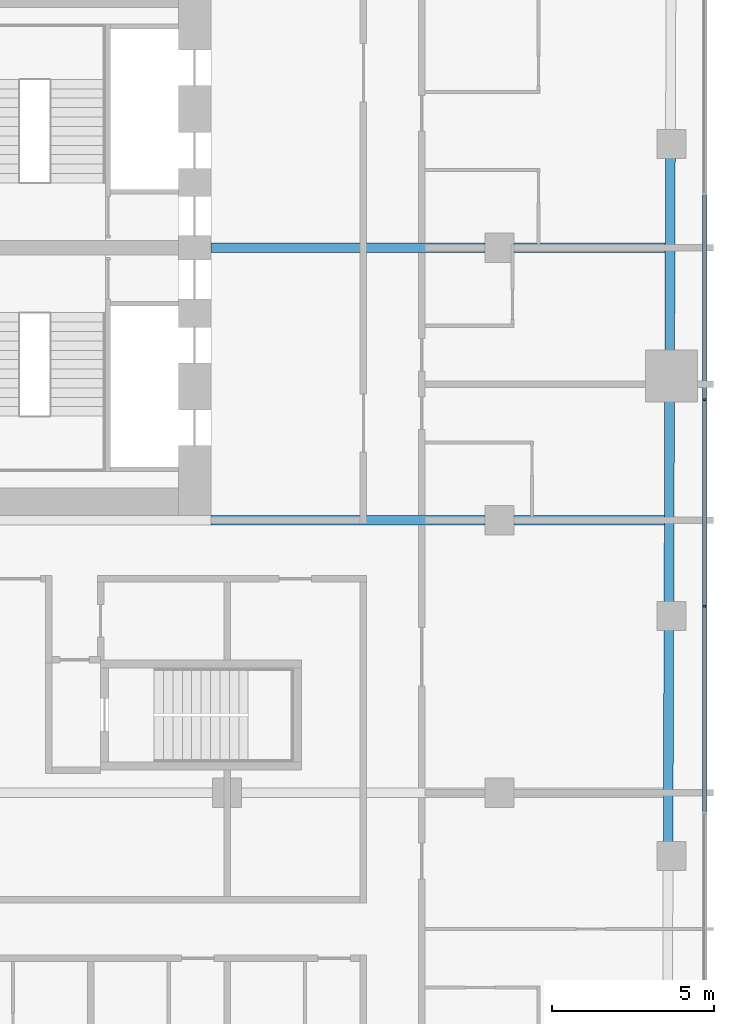
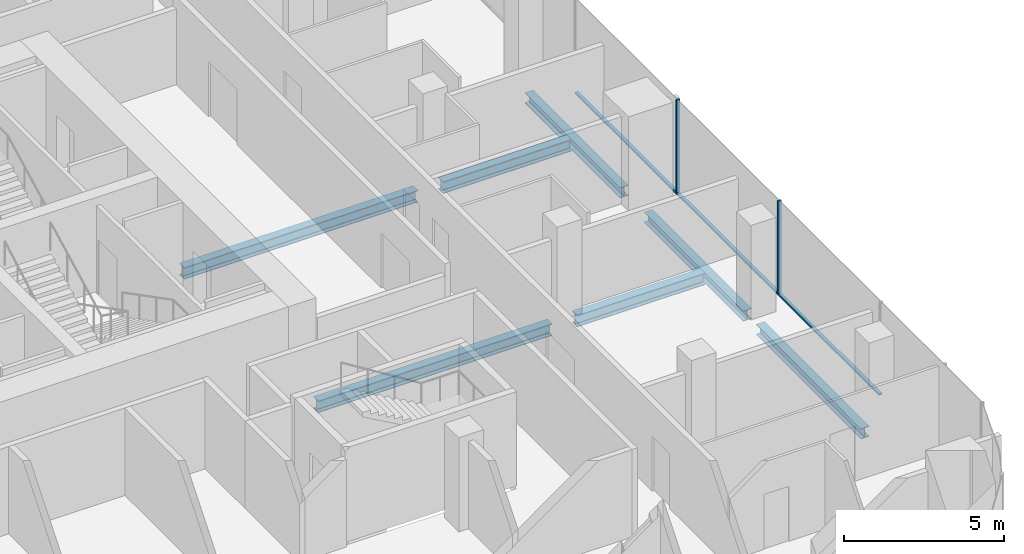
# One storey, part 7 of 23: 7 beams, 5 members, 1 element without a shape of its own.
"""IFC4 building model written with IfcOpenShell, lengths in metres."""

import ifcopenshell
import ifcopenshell.guid

model = None  # the IFC model being written
_history = None  # IfcOwnerHistory: only IFC2X3 demands one
_inside = {}  # id of a spatial element -> (the spatial element, [elements in it])
_under = {}  # id of a project, library or spatial element -> (it, [spatial elements below it])
_declared = {}  # id of a project -> (the project, [libraries it declares])
_typed = {}  # id of a type object -> (the type object, [elements of that type])
_made_of = {}  # id of a material, layer set ... -> (it, [elements and type objects made of it])


def new_model(schema):
    """Start an empty IFC model of exactly this schema.

    Asked for "IFC4X3", IfcOpenShell would pick the latest addendum, in which some entities
    have other attributes; the version numbers below select the first issue.
    IFC2X3 requires an IfcOwnerHistory on every rooted entity: one is made here for all.
    """
    global model, _history
    if schema == "IFC4X3":
        model = ifcopenshell.file(schema_version=(4, 3, 0, 0))
    else:
        model = ifcopenshell.file(schema=schema)
    _inside.clear()
    _under.clear()
    _declared.clear()
    _typed.clear()
    _made_of.clear()
    _history = None
    if model.schema == "IFC2X3":
        org = make("IfcOrganization", Name="unknown")
        user = make(
            "IfcPersonAndOrganization",
            ThePerson=make("IfcPerson", FamilyName="unknown"),
            TheOrganization=org,
        )
        app = make(
            "IfcApplication",
            ApplicationDeveloper=org,
            Version="unknown",
            ApplicationFullName="unknown",
            ApplicationIdentifier="unknown",
        )
        _history = make(
            "IfcOwnerHistory",
            OwningUser=user,
            OwningApplication=app,
            ChangeAction="ADDED",
            CreationDate=0,
        )
    return model


def make(cls, **values):
    """One entity of the class cls with the attributes given. An attribute that is None is left unset."""
    return model.create_entity(
        cls, **{name: value for name, value in values.items() if value is not None}
    )


def rooted(cls, **values):
    """An entity with a GlobalId (a new one), such as an element, a storey or a relation."""
    return make(cls, GlobalId=ifcopenshell.guid.new(), OwnerHistory=_history, **values)


def si_unit(unit_type, name, prefix=None):
    """IfcSIUnit, for example si_unit("LENGTHUNIT", "METRE", prefix="MILLI")."""
    return make("IfcSIUnit", UnitType=unit_type, Prefix=prefix, Name=name)


def assignment(units):
    """IfcUnitAssignment: the units of a project."""
    return None if units is None else make("IfcUnitAssignment", Units=units)


def point(xyz):
    """IfcCartesianPoint."""
    return None if xyz is None else make("IfcCartesianPoint", Coordinates=xyz)


def direction(xyz):
    """IfcDirection."""
    return None if xyz is None else make("IfcDirection", DirectionRatios=xyz)


def frame(location, z_axis=None, x_axis=None):
    """IfcAxis2Placement3D, a coordinate frame: its origin and axes. An axis left out is left unset."""
    return make(
        "IfcAxis2Placement3D",
        Location=point(location),
        Axis=direction(z_axis),
        RefDirection=direction(x_axis),
    )


def frame_2d(location, x_axis=None):
    """IfcAxis2Placement2D, a coordinate frame in the plane: its origin and x axis."""
    return make(
        "IfcAxis2Placement2D", Location=point(location), RefDirection=direction(x_axis)
    )


def origin():
    """The frame at (0, 0, 0) with its axes left unset."""
    return frame((0.0, 0.0, 0.0))


def origin_2d():
    """The frame at (0, 0) in the plane with its x axis left unset."""
    return frame_2d((0.0, 0.0))


def place(relative_to, where):
    """IfcLocalPlacement: puts the frame where relative to a parent placement (None: the world)."""
    return make(
        "IfcLocalPlacement", PlacementRelTo=relative_to, RelativePlacement=where
    )


def context(
    kind, dimensions, precision=None, world=None, true_north=None, identifier=None
):
    """IfcGeometricRepresentationContext, for example the 3D "Model" context."""
    return make(
        "IfcGeometricRepresentationContext",
        ContextIdentifier=identifier,
        ContextType=kind,
        CoordinateSpaceDimension=dimensions,
        Precision=precision,
        WorldCoordinateSystem=world,
        TrueNorth=true_north,
    )


def subcontext(parent, identifier, kind, view, scale=None):
    """IfcGeometricRepresentationSubContext, for example "Body" below "Model"."""
    return make(
        "IfcGeometricRepresentationSubContext",
        ContextIdentifier=identifier,
        ContextType=kind,
        ParentContext=parent,
        TargetScale=scale,
        TargetView=view,
    )


def project(units=None, contexts=None):
    """IfcProject with its units and contexts."""
    return rooted(
        "IfcProject",
        Name="project",
        RepresentationContexts=contexts,
        UnitsInContext=assignment(units),
    )


def spatial(cls, under=None, at=None, **own):
    """A site, building, storey or space (cls), placed at a placement, below another one or the project."""
    s = rooted(cls, ObjectPlacement=at, **own)
    if under is not None:
        _under.setdefault(under.id(), (under, []))[1].append(s)
    return s


def profile(cls, at=None, kind="AREA", **sizes):
    """A parametric profile (cls). Its sizes go by their IFC names, for example OverallWidth=200.0."""
    return make(cls, ProfileType=kind, Position=at, **sizes)


def rectangle(**sizes):
    """IfcRectangleProfileDef."""
    return profile("IfcRectangleProfileDef", **sizes)


def i_section(**sizes):
    """IfcIShapeProfileDef."""
    return profile("IfcIShapeProfileDef", **sizes)


def extrude(swept, where, along, depth):
    """IfcExtrudedAreaSolid: the profile swept, set in the frame where, extruded along a direction by depth."""
    return make(
        "IfcExtrudedAreaSolid",
        SweptArea=swept,
        Position=where,
        ExtrudedDirection=direction(along),
        Depth=depth,
    )


def shape(context_of_items, identifier, shape_type, items):
    """IfcShapeRepresentation: the items that make up one representation, for example the "Body"."""
    return make(
        "IfcShapeRepresentation",
        ContextOfItems=context_of_items,
        RepresentationIdentifier=identifier,
        RepresentationType=shape_type,
        Items=items,
    )


def material(Name=None, Category=None):
    """IfcMaterial."""
    return make("IfcMaterial", Name=Name, Category=Category)


def layer(
    of_material, thickness, ventilated=None, Name=None, Category=None, Priority=None
):
    """IfcMaterialLayer: one layer of a wall or slab, of a material (None: an air gap)."""
    return make(
        "IfcMaterialLayer",
        Material=of_material,
        LayerThickness=thickness,
        IsVentilated=ventilated,
        Name=Name,
        Category=Category,
        Priority=Priority,
    )


def layer_set(layers, Name=None):
    """IfcMaterialLayerSet."""
    return make("IfcMaterialLayerSet", MaterialLayers=layers, LayerSetName=Name)


def material_profile(
    of_material, cross_section, Name=None, Category=None, Priority=None
):
    """IfcMaterialProfile: a cross section and its material."""
    return make(
        "IfcMaterialProfile",
        Name=Name,
        Material=of_material,
        Profile=cross_section,
        Priority=Priority,
        Category=Category,
    )


def profile_set(profiles, Name=None, composite=None):
    """IfcMaterialProfileSet."""
    return make(
        "IfcMaterialProfileSet",
        Name=Name,
        MaterialProfiles=profiles,
        CompositeProfile=composite,
    )


def made_of(thing, what):
    """Note that an element or type object is made of a material, layer set ...; save() writes the relation."""
    if what is not None:
        _made_of.setdefault(what.id(), (what, []))[1].append(thing)
    return thing


def type_object(cls, material=None, **own):
    """A type object (cls), such as IfcWallType, which elements share."""
    return made_of(rooted(cls, **own), material)


def element(
    cls,
    number,
    at=None,
    inside=None,
    cuts=None,
    type_object=None,
    material=None,
    context=None,
    identifier="Body",
    shape_type=None,
    held_by="IfcProductDefinitionShape",
    body=None,
    shapes=None,
    **own,
):
    """One element of the class cls, such as IfcWall. Its Tag is "e" and its number.

    at: its placement. inside: the storey or other place that contains it. cuts: it is an
    opening in that element (IfcRelVoidsElement). A single representation is given by context,
    identifier, shape_type and body (its items); several are given by shapes. held_by: the class
    of the entity that holds the representations. save() writes the other relations.
    """
    e = rooted(cls, Tag="e%d" % number, ObjectPlacement=at, **own)
    if body is not None:
        shapes = [shape(context, identifier, shape_type, body)]
    if shapes is not None:
        e.Representation = make(held_by, Representations=shapes)
    if inside is not None:
        _inside.setdefault(inside.id(), (inside, []))[1].append(e)
    if cuts is not None:
        rooted(
            "IfcRelVoidsElement", RelatingBuildingElement=cuts, RelatedOpeningElement=e
        )
    if type_object is not None:
        _typed.setdefault(type_object.id(), (type_object, []))[1].append(e)
    return made_of(e, material)


def aggregate(whole, parts):
    """IfcRelAggregates: a whole, such as a stair, and the parts it consists of."""
    return rooted("IfcRelAggregates", RelatingObject=whole, RelatedObjects=parts)


def save(model, path):
    """Write the relations noted so far, then the file.

    IfcRelAggregates (storeys below a building ...), IfcRelContainedInSpatialStructure (elements
    in a storey), IfcRelDefinesByType, IfcRelAssociatesMaterial and IfcRelDeclares: one each for
    every whole, place, type object, material and project.
    """
    for whole, parts in _under.values():
        aggregate(whole, parts)
    for where, things in _inside.values():
        rooted(
            "IfcRelContainedInSpatialStructure",
            RelatedElements=things,
            RelatingStructure=where,
        )
    for kind, things in _typed.values():
        rooted("IfcRelDefinesByType", RelatedObjects=things, RelatingType=kind)
    for what, things in _made_of.values():
        rooted("IfcRelAssociatesMaterial", RelatedObjects=things, RelatingMaterial=what)
    for by, libraries in _declared.values():
        rooted("IfcRelDeclares", RelatingContext=by, RelatedDefinitions=libraries)
    model.write(path)


model = new_model("IFC4")

# Units and contexts
model_context = context("Model", 3, precision=1e-05, world=origin(), true_north=direction((0.0, 1.0)))
body_context = subcontext(model_context, "Body", "Model", "MODEL_VIEW")
ifc_project = project(units=[si_unit("LENGTHUNIT", "METRE"), si_unit("AREAUNIT", "SQUARE_METRE"), si_unit("VOLUMEUNIT", "CUBIC_METRE"), si_unit("PLANEANGLEUNIT", "RADIAN"), si_unit("MASSUNIT", "GRAM", prefix="KILO")], contexts=[model_context])

# Site, building, storey
site_placement = place(None, origin())
site = spatial("IfcSite", under=ifc_project, at=site_placement, CompositionType="ELEMENT")
building_placement = place(site_placement, origin())
building = spatial("IfcBuilding", under=site, at=building_placement, Name="Marenta Gate Hotel Tower", CompositionType="ELEMENT")
storey_placement = place(building_placement, frame((0.0, 0.0, 119.300048828125)))
storey = spatial("IfcBuildingStorey", under=building, at=storey_placement, Name="L26", CompositionType="ELEMENT", Elevation=119.300048828125)

# Beams
ifc_material_1 = material(Name="Steel S355", Category="steel")
ifc_material_profile_1 = material_profile(ifc_material_1, i_section(OverallWidth=0.300048828125, OverallDepth=0.39990234375, WebThickness=0.013427734375, FlangeThickness=0.02392578125, FilletRadius=0.027099609375, at=origin_2d()), Name="HEB 400")
ifc_profile_set_1 = profile_set([ifc_material_profile_1], Name="Steel S355")
beam_type_1 = type_object("IfcBeamType", Name="Edge beam HEB 400", PredefinedType="SPANDREL", material=ifc_profile_set_1)
beam_1_placement = place(storey_placement, frame((26.26416015625, 11.193115234375, -0.4599609375), z_axis=(-0.003305160059, -0.999994537944, 0.0), x_axis=(0.999994537944, -0.003305160059, 0.0)))
element("IfcBeam", 1, at=beam_1_placement, inside=storey, type_object=beam_type_1, Name="L26-EB-24", PredefinedType="SPANDREL", context=body_context, shape_type="SweptSolid", body=[
    extrude(i_section(OverallWidth=0.300048828125, OverallDepth=0.39990234375, WebThickness=0.013427734375, FlangeThickness=0.02392578125, FilletRadius=0.027099609375, at=origin_2d()), origin(), (0.0, 0.0, 1.0), 5.983154296875),
])
beam_2_placement = place(storey_placement, frame((26.2392578125, 3.68994140625, -0.4599609375), z_axis=(-0.003330441525, -0.999994454064, 0.0), x_axis=(0.999994454064, -0.003330441525, 0.0)))
element("IfcBeam", 2, at=beam_2_placement, inside=storey, type_object=beam_type_1, Name="L26-EB-25", PredefinedType="SPANDREL", context=body_context, shape_type="SweptSolid", body=[
    extrude(i_section(OverallWidth=0.300048828125, OverallDepth=0.39990234375, WebThickness=0.013427734375, FlangeThickness=0.02392578125, FilletRadius=0.027099609375, at=origin_2d()), origin(), (0.0, 0.0, 1.0), 6.23095703125),
])
beam_3_placement = place(storey_placement, frame((26.2158203125, -3.36083984375, -0.4599609375), z_axis=(-0.00333875569, -0.99999442634, 0.0), x_axis=(0.99999442634, -0.00333875569, 0.0)))
element("IfcBeam", 3, at=beam_3_placement, inside=storey, type_object=beam_type_1, Name="L26-EB-26", PredefinedType="SPANDREL", context=body_context, shape_type="SweptSolid", body=[
    extrude(i_section(OverallWidth=0.300048828125, OverallDepth=0.39990234375, WebThickness=0.013427734375, FlangeThickness=0.02392578125, FilletRadius=0.027099609375, at=origin_2d()), origin(), (0.0, 0.0, 1.0), 6.5810546875),
])
ifc_material_2 = material(Name="Steel S355", Category="steel")
ifc_material_profile_2 = material_profile(ifc_material_2, i_section(OverallWidth=0.300048828125, OverallDepth=0.449951171875, WebThickness=0.013916015625, FlangeThickness=0.02587890625, FilletRadius=0.027099609375, at=origin_2d()), Name="HEB 450")
ifc_profile_set_2 = profile_set([ifc_material_profile_2], Name="Steel S355")
beam_type_2 = type_object("IfcBeamType", Name="Girder HEB 450", PredefinedType="BEAM", material=ifc_profile_set_2)
beam_4_placement = place(storey_placement, frame((12.10009765625, 0.0, -0.485107421875), z_axis=(1.0, 0.0, 0.0), x_axis=(0.0, 1.0, 0.0)))
element("IfcBeam", 4, at=beam_4_placement, inside=storey, type_object=beam_type_2, Name="L26-GD-18", PredefinedType="BEAM", context=body_context, shape_type="SweptSolid", body=[
    extrude(i_section(OverallWidth=0.300048828125, OverallDepth=0.449951171875, WebThickness=0.013916015625, FlangeThickness=0.02587890625, FilletRadius=0.027099609375, at=origin_2d()), origin(), (0.0, 0.0, 1.0), 8.449951171875),
])
beam_5_placement = place(storey_placement, frame((21.449951171875, 0.0, -0.485107421875), z_axis=(1.0, 0.0, 0.0), x_axis=(0.0, 1.0, 0.0)))
element("IfcBeam", 5, at=beam_5_placement, inside=storey, type_object=beam_type_2, Name="L26-GD-19", PredefinedType="BEAM", context=body_context, shape_type="SweptSolid", body=[
    extrude(i_section(OverallWidth=0.300048828125, OverallDepth=0.449951171875, WebThickness=0.013916015625, FlangeThickness=0.02587890625, FilletRadius=0.027099609375, at=origin_2d()), origin(), (0.0, 0.0, 1.0), 4.626953125),
])
beam_6_placement = place(storey_placement, frame((12.10009765625, 8.39990234375, -0.485107421875), z_axis=(1.0, 0.0, 0.0), x_axis=(0.0, 1.0, 0.0)))
element("IfcBeam", 6, at=beam_6_placement, inside=storey, type_object=beam_type_2, Name="L26-GD-22", PredefinedType="BEAM", context=body_context, shape_type="SweptSolid", body=[
    extrude(i_section(OverallWidth=0.300048828125, OverallDepth=0.449951171875, WebThickness=0.013916015625, FlangeThickness=0.02587890625, FilletRadius=0.027099609375, at=origin_2d()), origin(), (0.0, 0.0, 1.0), 8.449951171875),
])
beam_7_placement = place(storey_placement, frame((21.449951171875, 8.39990234375, -0.485107421875), z_axis=(1.0, 0.0, 0.0), x_axis=(0.0, 1.0, 0.0)))
element("IfcBeam", 7, at=beam_7_placement, inside=storey, type_object=beam_type_2, Name="L26-GD-23", PredefinedType="BEAM", context=body_context, shape_type="SweptSolid", body=[
    extrude(i_section(OverallWidth=0.300048828125, OverallDepth=0.449951171875, WebThickness=0.013916015625, FlangeThickness=0.02587890625, FilletRadius=0.027099609375, at=origin_2d()), origin(), (0.0, 0.0, 1.0), 4.655029296875),
])

# Curtain wall, members
ifc_material_3 = material(Name="Tinted insulated glass in bronze anodised frame", Category="glass")
ifc_layer = layer(ifc_material_3, 0.1201171875)
ifc_layer_set = layer_set([ifc_layer], Name="Tinted insulated glass in bronze anodised frame")
curtain_wall_type = type_object("IfcCurtainWallType", Name="Tower unitised curtain wall CW1", PredefinedType="NOTDEFINED", material=ifc_layer_set)
curtain_wall_placement = place(storey_placement, origin())
curtain_wall = element("IfcCurtainWall", 8, at=curtain_wall_placement, inside=storey, type_object=curtain_wall_type, Name="CW1 run G11", PredefinedType="NOTDEFINED")
ifc_material_4 = material(Name="Bronze anodised aluminium", Category="aluminium")
ifc_material_profile_3 = material_profile(ifc_material_4, rectangle(XDim=0.1201171875, YDim=0.06005859375, at=origin_2d()), Name="Mullion CW1 60x120 bronze anodised aluminium")
ifc_profile_set_3 = profile_set([ifc_material_profile_3], Name="Bronze anodised aluminium")
member_type_1 = type_object("IfcMemberType", Name="Mullion CW1 60x120 bronze anodised aluminium", PredefinedType="MULLION", material=ifc_profile_set_3)
member_1_placement = place(storey_placement, frame((27.31396484375, -2.64794921875, 0.0), z_axis=(0.0, 0.0, 1.0), x_axis=(-1.0, 0.0, 0.0)))
member_1 = element("IfcMember", 9, at=member_1_placement, type_object=member_type_1, Name="CW1 mullion 3", PredefinedType="MULLION", context=body_context, shape_type="SweptSolid", body=[
    extrude(rectangle(XDim=0.1201171875, YDim=0.06005859375, at=origin_2d()), origin(), (0.0, 0.0, 1.0), 3.599853515625),
])
member_2_placement = place(storey_placement, frame((27.31396484375, 3.7119140625, 0.0), z_axis=(0.0, 0.0, 1.0), x_axis=(-1.0, 0.0, 0.0)))
member_2 = element("IfcMember", 10, at=member_2_placement, type_object=member_type_1, Name="CW1 mullion 4", PredefinedType="MULLION", context=body_context, shape_type="SweptSolid", body=[
    extrude(rectangle(XDim=0.1201171875, YDim=0.06005859375, at=origin_2d()), origin(), (0.0, 0.0, 1.0), 3.599853515625),
])
ifc_material_5 = material(Name="Bronze anodised aluminium", Category="aluminium")
ifc_material_profile_4 = material_profile(ifc_material_5, rectangle(XDim=0.1201171875, YDim=0.06005859375, at=origin_2d()), Name="Transom CW1 60x120 bronze anodised aluminium")
ifc_profile_set_4 = profile_set([ifc_material_profile_4], Name="Bronze anodised aluminium")
member_type_2 = type_object("IfcMemberType", Name="Transom CW1 60x120 bronze anodised aluminium", PredefinedType="USERDEFINED", material=ifc_profile_set_4)
member_3_placement = place(storey_placement, frame((27.31396484375, -8.97802734375, 0.030029296875), z_axis=(0.0, 1.0, 0.0), x_axis=(-1.0, 0.0, 0.0)))
member_3 = element("IfcMember", 11, at=member_3_placement, type_object=member_type_2, Name="CW1 transom 2.1", ObjectType="TRANSOM", PredefinedType="USERDEFINED", context=body_context, shape_type="SweptSolid", body=[
    extrude(rectangle(XDim=0.1201171875, YDim=0.06005859375, at=origin_2d()), origin(), (0.0, 0.0, 1.0), 6.300048828125),
])
member_4_placement = place(storey_placement, frame((27.31396484375, -2.617919921875, 0.030029296875), z_axis=(0.0, 1.0, 0.0), x_axis=(-1.0, 0.0, 0.0)))
member_4 = element("IfcMember", 12, at=member_4_placement, type_object=member_type_2, Name="CW1 transom 3.1", ObjectType="TRANSOM", PredefinedType="USERDEFINED", context=body_context, shape_type="SweptSolid", body=[
    extrude(rectangle(XDim=0.1201171875, YDim=0.06005859375, at=origin_2d()), origin(), (0.0, 0.0, 1.0), 6.2998046875),
])
member_5_placement = place(storey_placement, frame((27.31396484375, 3.741943359375, 0.030029296875), z_axis=(0.0, 1.0, 0.0), x_axis=(-1.0, 0.0, 0.0)))
member_5 = element("IfcMember", 13, at=member_5_placement, type_object=member_type_2, Name="CW1 transom 4.1", ObjectType="TRANSOM", PredefinedType="USERDEFINED", context=body_context, shape_type="SweptSolid", body=[
    extrude(rectangle(XDim=0.1201171875, YDim=0.06005859375, at=origin_2d()), origin(), (0.0, 0.0, 1.0), 6.300048828125),
])
aggregate(curtain_wall, [member_1, member_2, member_3, member_4, member_5])

save(model, "model.ifc")
